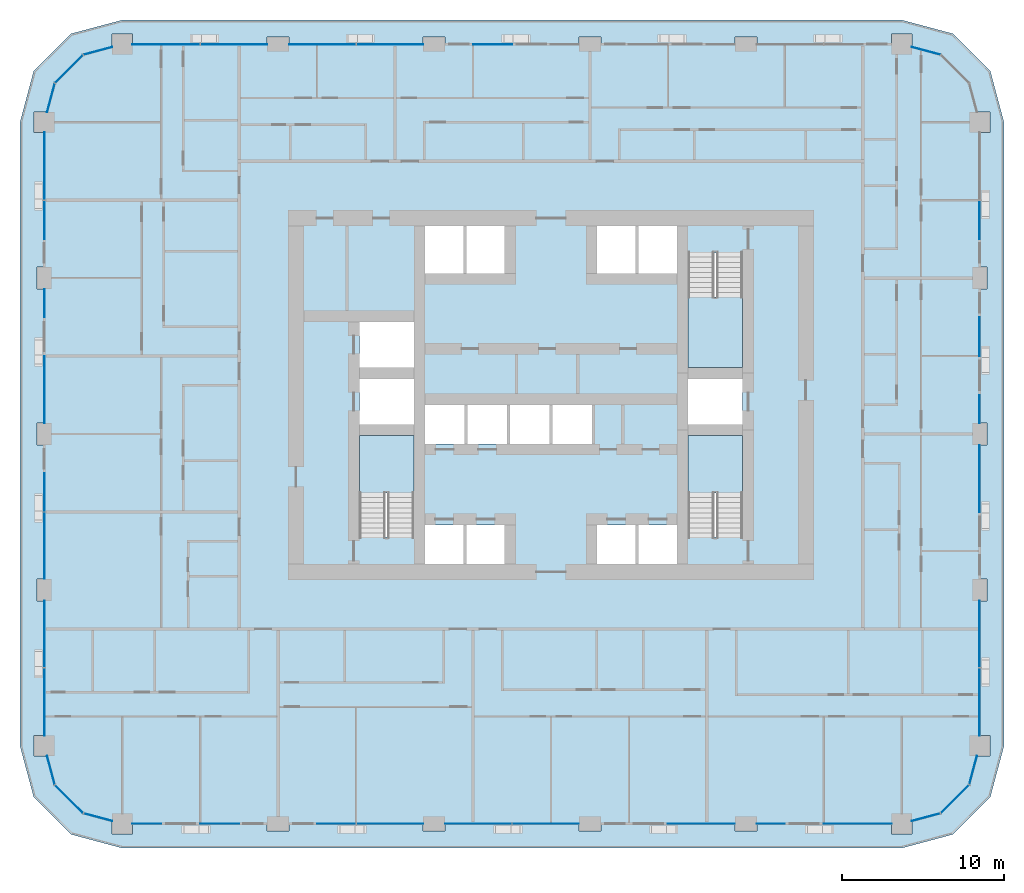
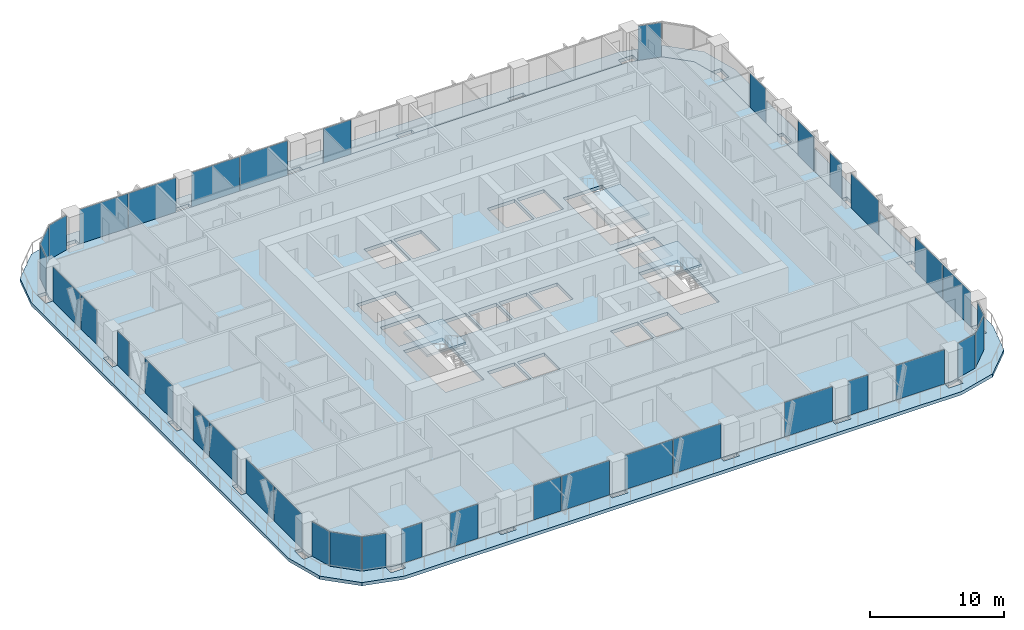
# One storey, part 7 of 21: 38 plates, 5 slabs, 23 elements without a shape of their own.
"""IFC4 building model written with IfcOpenShell, lengths in metres."""

from ifc_helpers import new_model, si_unit, direction, frame, origin, origin_2d, place, context, subcontext, project, spatial, polyline, rectangle, outline, extrude, material, layer, layer_set, type_object, element, aggregate, save


model = new_model("IFC4")

# Units and contexts
model_context = context("Model", 3, precision=1e-05, world=origin(), true_north=direction((0.0, 1.0)))
body_context = subcontext(model_context, "Body", "Model", "MODEL_VIEW")
ifc_project = project(units=[si_unit("LENGTHUNIT", "METRE"), si_unit("AREAUNIT", "SQUARE_METRE"), si_unit("VOLUMEUNIT", "CUBIC_METRE"), si_unit("PLANEANGLEUNIT", "RADIAN"), si_unit("MASSUNIT", "GRAM", prefix="KILO")], contexts=[model_context])

# Site, building, storey
site_placement = place(None, origin())
site = spatial("IfcSite", under=ifc_project, at=site_placement, CompositionType="ELEMENT")
building_placement = place(site_placement, origin())
building = spatial("IfcBuilding", under=site, at=building_placement, Name="Madar Terraces", CompositionType="ELEMENT")
storey_placement = place(building_placement, frame((0.0, 0.0, 43.39990234375)))
storey = spatial("IfcBuildingStorey", under=building, at=storey_placement, Name="L10", CompositionType="ELEMENT", Elevation=43.39990234375)

# Slabs
ifc_material_1 = material(Name="Concrete C50/60", Category="concrete")
ifc_layer_1 = layer(ifc_material_1, 0.300048828125)
ifc_layer_set_1 = layer_set([ifc_layer_1], Name="Balcony band 300")
slab_type_1 = type_object("IfcSlabType", Name="Balcony band 300", PredefinedType="FLOOR", material=ifc_layer_set_1)
slab_1_placement = place(storey_placement, frame((0.0, 0.0, -0.2998046875)))
element("IfcSlab", 1, at=slab_1_placement, inside=storey, type_object=slab_type_1, Name="Balcony band", PredefinedType="FLOOR", context=body_context, shape_type="SweptSolid", body=[
    extrude(outline(polyline([(4.800048828125, -1.5), (1.64990234375, -0.656005859375), (-0.656005859375, 1.64990234375), (-1.5, 4.800048828125), (-1.5, 43.199951171875), (-0.656005859375, 46.35009765625), (1.64990234375, 48.656005859375), (4.800048828125, 49.5), (52.800048828125, 49.5), (55.949951171875, 48.656005859375), (58.256103515625, 46.35009765625), (59.10009765625, 43.199951171875), (59.10009765625, 4.800048828125), (58.256103515625, 1.64990234375), (55.949951171875, -0.656005859375), (52.800048828125, -1.5), (4.800048828125, -1.5)]), holes=[polyline([(5.425048828125, -0.625), (5.425048828125, 0.0), (13.72509765625, 0.0), (13.72509765625, -0.449951171875), (15.074951171875, -0.449951171875), (15.074951171875, 0.0), (23.324951171875, 0.0), (23.324951171875, -0.449951171875), (24.675048828125, -0.449951171875), (24.675048828125, 0.0), (32.925048828125, 0.0), (32.925048828125, -0.449951171875), (34.27490234375, -0.449951171875), (34.27490234375, 0.0), (42.52490234375, 0.0), (42.52490234375, -0.449951171875), (43.875, -0.449951171875), (43.875, 0.0), (52.175048828125, 0.0), (52.175048828125, -0.625), (53.425048828125, -0.625), (53.425048828125, 0.16748046875), (55.199951171875, 0.64306640625), (56.956787109375, 2.39990234375), (57.4326171875, 4.175048828125), (58.22509765625, 4.175048828125), (58.22509765625, 5.425048828125), (57.60009765625, 5.425048828125), (57.60009765625, 13.72509765625), (58.050048828125, 13.72509765625), (58.050048828125, 15.074951171875), (57.60009765625, 15.074951171875), (57.60009765625, 23.324951171875), (58.050048828125, 23.324951171875), (58.050048828125, 24.675048828125), (57.60009765625, 24.675048828125), (57.60009765625, 32.925048828125), (58.050048828125, 32.925048828125), (58.050048828125, 34.27490234375), (57.60009765625, 34.27490234375), (57.60009765625, 42.574951171875), (58.22509765625, 42.574951171875), (58.22509765625, 43.824951171875), (57.4326171875, 43.824951171875), (56.956787109375, 45.60009765625), (55.199951171875, 47.35693359375), (53.425048828125, 47.83251953125), (53.425048828125, 48.625), (52.175048828125, 48.625), (52.175048828125, 48.0), (43.875, 48.0), (43.875, 48.449951171875), (42.52490234375, 48.449951171875), (42.52490234375, 48.0), (34.27490234375, 48.0), (34.27490234375, 48.449951171875), (32.925048828125, 48.449951171875), (32.925048828125, 48.0), (24.675048828125, 48.0), (24.675048828125, 48.449951171875), (23.324951171875, 48.449951171875), (23.324951171875, 48.0), (15.074951171875, 48.0), (15.074951171875, 48.449951171875), (13.72509765625, 48.449951171875), (13.72509765625, 48.0), (5.425048828125, 48.0), (5.425048828125, 48.625), (4.175048828125, 48.625), (4.175048828125, 47.83251953125), (2.39990234375, 47.35693359375), (0.64306640625, 45.60009765625), (0.16748046875, 43.824951171875), (-0.625, 43.824951171875), (-0.625, 42.574951171875), (0.0, 42.574951171875), (0.0, 34.27490234375), (-0.449951171875, 34.27490234375), (-0.449951171875, 32.925048828125), (0.0, 32.925048828125), (0.0, 24.675048828125), (-0.449951171875, 24.675048828125), (-0.449951171875, 23.324951171875), (0.0, 23.324951171875), (0.0, 15.074951171875), (-0.449951171875, 15.074951171875), (-0.449951171875, 13.72509765625), (0.0, 13.72509765625), (0.0, 5.425048828125), (-0.625, 5.425048828125), (-0.625, 4.175048828125), (0.16748046875, 4.175048828125), (0.64306640625, 2.39990234375), (2.39990234375, 0.64306640625), (4.175048828125, 0.16748046875), (4.175048828125, -0.625), (5.425048828125, -0.625)])]), origin(), (0.0, 0.0, 1.0), 0.2998046875),
])
ifc_material_2 = material(Name="Concrete C50/60", Category="concrete")
ifc_layer_2 = layer(ifc_material_2, 0.300048828125)
ifc_layer_set_2 = layer_set([ifc_layer_2], Name="FS2 PT flat slab 300")
slab_type_2 = type_object("IfcSlabType", Name="FS2 PT flat slab 300", PredefinedType="FLOOR", material=ifc_layer_set_2)
slab_2_placement = place(storey_placement, frame((0.0, 0.0, -0.2998046875)))
element("IfcSlab", 2, at=slab_2_placement, inside=storey, type_object=slab_type_2, Name="Floor slab L10 (1)", PredefinedType="FLOOR", context=body_context, shape_type="SweptSolid", body=[
    extrude(outline(polyline([(52.800048828125, 0.0), (55.199951171875, 0.64306640625), (56.95703125, 2.39990234375), (57.60009765625, 4.800048828125), (57.60009765625, 43.199951171875), (56.95703125, 45.60009765625), (55.199951171875, 47.35693359375), (52.800048828125, 48.0), (4.800048828125, 48.0), (2.39990234375, 47.35693359375), (0.64306640625, 45.60009765625), (0.0, 43.199951171875), (0.0, 4.800048828125), (0.64306640625, 2.39990234375), (2.39990234375, 0.64306640625), (4.800048828125, 0.0), (52.800048828125, 0.0)]), holes=[polyline([(23.449951171875, 16.0), (23.449951171875, 18.39990234375), (25.800048828125, 18.39990234375), (25.800048828125, 16.0), (23.449951171875, 16.0)]), polyline([(26.0, 16.0), (26.0, 18.39990234375), (28.35009765625, 18.39990234375), (28.35009765625, 16.0), (26.0, 16.0)]), polyline([(19.39990234375, 17.64990234375), (19.39990234375, 23.89990234375), (22.75, 23.89990234375), (22.75, 17.64990234375), (19.39990234375, 17.64990234375)]), polyline([(23.449951171875, 23.39990234375), (23.449951171875, 25.800048828125), (25.86669921875, 25.800048828125), (25.86669921875, 23.39990234375), (23.449951171875, 23.39990234375)]), polyline([(26.066650390625, 23.39990234375), (26.066650390625, 25.800048828125), (28.4833984375, 25.800048828125), (28.4833984375, 23.39990234375), (26.066650390625, 23.39990234375)]), polyline([(19.39990234375, 24.60009765625), (19.39990234375, 27.39990234375), (22.75, 27.39990234375), (22.75, 24.60009765625), (19.39990234375, 24.60009765625)]), polyline([(19.39990234375, 28.10009765625), (19.39990234375, 30.89990234375), (22.75, 30.89990234375), (22.75, 28.10009765625), (19.39990234375, 28.10009765625)]), polyline([(23.449951171875, 36.800048828125), (25.800048828125, 36.800048828125), (25.800048828125, 33.89990234375), (23.449951171875, 33.89990234375), (23.449951171875, 36.800048828125)]), polyline([(26.0, 36.800048828125), (28.35009765625, 36.800048828125), (28.35009765625, 33.89990234375), (26.0, 33.89990234375), (26.0, 36.800048828125)]), polyline([(34.050048828125, 16.0), (34.050048828125, 18.39990234375), (36.39990234375, 18.39990234375), (36.39990234375, 16.0), (34.050048828125, 16.0)]), polyline([(36.60009765625, 16.0), (36.60009765625, 18.39990234375), (38.949951171875, 18.39990234375), (38.949951171875, 16.0), (36.60009765625, 16.0)]), polyline([(39.64990234375, 17.64990234375), (39.64990234375, 23.89990234375), (43.0, 23.89990234375), (43.0, 17.64990234375), (39.64990234375, 17.64990234375)]), polyline([(28.683349609375, 23.39990234375), (28.683349609375, 25.800048828125), (31.10009765625, 25.800048828125), (31.10009765625, 23.39990234375), (28.683349609375, 23.39990234375)]), polyline([(31.300048828125, 23.39990234375), (31.300048828125, 25.800048828125), (33.716552734375, 25.800048828125), (33.716552734375, 23.39990234375), (31.300048828125, 23.39990234375)]), polyline([(39.64990234375, 24.60009765625), (39.64990234375, 27.39990234375), (43.0, 27.39990234375), (43.0, 24.60009765625), (39.64990234375, 24.60009765625)]), polyline([(39.64990234375, 28.10009765625), (39.64990234375, 35.14990234375), (43.0, 35.14990234375), (43.0, 28.10009765625), (39.64990234375, 28.10009765625)]), polyline([(34.050048828125, 36.800048828125), (36.39990234375, 36.800048828125), (36.39990234375, 33.89990234375), (34.050048828125, 33.89990234375), (34.050048828125, 36.800048828125)]), polyline([(36.60009765625, 36.800048828125), (38.949951171875, 36.800048828125), (38.949951171875, 33.89990234375), (36.60009765625, 33.89990234375), (36.60009765625, 36.800048828125)])]), origin(), (0.0, 0.0, 1.0), 0.2998046875),
])

# Curtain wall, plates
ifc_material_3 = material(Name="Glass, ceramic frit dark grey, with black aluminium frame", Category="aluminium")
ifc_layer_3 = layer(ifc_material_3, 0.199951171875)
ifc_layer_set_3 = layer_set([ifc_layer_3], Name="Facade curtain wall, fritted glass")
curtain_wall_type = type_object("IfcCurtainWallType", Name="Facade curtain wall, fritted glass", PredefinedType="NOTDEFINED", material=ifc_layer_set_3)
curtain_wall_1_placement = place(storey_placement, origin())
curtain_wall_1 = element("IfcCurtainWall", 3, at=curtain_wall_1_placement, inside=storey, type_object=curtain_wall_type, Name="Outer skin curtain wall south bay 1", PredefinedType="NOTDEFINED")
ifc_material_4 = material(Name="Glass, ceramic frit dark grey", Category="glass")
ifc_layer_4 = layer(ifc_material_4, 0.028076171875)
ifc_layer_set_4 = layer_set([ifc_layer_4], Name="Facade glass panel 28")
plate_type = type_object("IfcPlateType", Name="Facade glass panel 28", PredefinedType="CURTAIN_PANEL", material=ifc_layer_set_4)
plate_1_placement = place(storey_placement, frame((6.3125, 0.0, 0.0), z_axis=(0.0, 0.0, 1.0), x_axis=(1.0, 0.0, 0.0)))
plate_1 = element("IfcPlate", 4, at=plate_1_placement, type_object=plate_type, Name="Panel 1", PredefinedType="CURTAIN_PANEL", context=body_context, shape_type="SweptSolid", body=[
    extrude(rectangle(XDim=1.77490234375, YDim=0.028076171875, at=origin_2d()), origin(), (0.0, 0.0, 1.0), 3.139892578125),
])
plate_2_placement = place(storey_placement, frame((10.800048828125, 0.0, 0.0), z_axis=(0.0, 0.0, 1.0), x_axis=(1.0, 0.0, 0.0)))
plate_2 = element("IfcPlate", 5, at=plate_2_placement, type_object=plate_type, Name="Panel 2", PredefinedType="CURTAIN_PANEL", context=body_context, shape_type="SweptSolid", body=[
    extrude(rectangle(XDim=2.39990234375, YDim=0.028076171875, at=origin_2d()), origin(), (0.0, 0.0, 1.0), 3.139892578125),
])
aggregate(curtain_wall_1, [plate_1, plate_2])

curtain_wall_2_placement = place(storey_placement, origin())
curtain_wall_2 = element("IfcCurtainWall", 6, at=curtain_wall_2_placement, inside=storey, type_object=curtain_wall_type, Name="Outer skin curtain wall south bay 2", PredefinedType="NOTDEFINED")
plate_3_placement = place(storey_placement, frame((17.985107421875, 0.0, 0.0), z_axis=(0.0, 0.0, 1.0), x_axis=(1.0, 0.0, 0.0)))
plate_3 = element("IfcPlate", 7, at=plate_3_placement, type_object=plate_type, Name="Panel 1", PredefinedType="CURTAIN_PANEL", context=body_context, shape_type="SweptSolid", body=[
    extrude(rectangle(XDim=2.3701171875, YDim=0.028076171875, at=origin_2d()), origin(), (0.0, 0.0, 1.0), 3.139892578125),
])
plate_4_placement = place(storey_placement, frame((21.277587890625, 0.0, 0.0), z_axis=(0.0, 0.0, 1.0), x_axis=(1.0, 0.0, 0.0)))
plate_4 = element("IfcPlate", 8, at=plate_4_placement, type_object=plate_type, Name="Panel 2", PredefinedType="CURTAIN_PANEL", context=body_context, shape_type="SweptSolid", body=[
    extrude(rectangle(XDim=4.094970703125, YDim=0.028076171875, at=origin_2d()), origin(), (0.0, 0.0, 1.0), 3.139892578125),
])
aggregate(curtain_wall_2, [plate_3, plate_4])

curtain_wall_3_placement = place(storey_placement, origin())
curtain_wall_3 = element("IfcCurtainWall", 9, at=curtain_wall_3_placement, inside=storey, type_object=curtain_wall_type, Name="Outer skin curtain wall south bay 3", PredefinedType="NOTDEFINED")
plate_5_placement = place(storey_placement, frame((26.722412109375, 0.0, 0.0), z_axis=(0.0, 0.0, 1.0), x_axis=(1.0, 0.0, 0.0)))
plate_5 = element("IfcPlate", 10, at=plate_5_placement, type_object=plate_type, Name="Panel 1", PredefinedType="CURTAIN_PANEL", context=body_context, shape_type="SweptSolid", body=[
    extrude(rectangle(XDim=4.094970703125, YDim=0.028076171875, at=origin_2d()), origin(), (0.0, 0.0, 1.0), 3.139892578125),
])
plate_6_placement = place(storey_placement, frame((30.87744140625, 0.0, 0.0), z_axis=(0.0, 0.0, 1.0), x_axis=(1.0, 0.0, 0.0)))
plate_6 = element("IfcPlate", 11, at=plate_6_placement, type_object=plate_type, Name="Panel 2", PredefinedType="CURTAIN_PANEL", context=body_context, shape_type="SweptSolid", body=[
    extrude(rectangle(XDim=4.094970703125, YDim=0.028076171875, at=origin_2d()), origin(), (0.0, 0.0, 1.0), 3.139892578125),
])
aggregate(curtain_wall_3, [plate_5, plate_6])

# Curtain wall, plate
curtain_wall_4_placement = place(storey_placement, origin())
curtain_wall_4 = element("IfcCurtainWall", 12, at=curtain_wall_4_placement, inside=storey, type_object=curtain_wall_type, Name="Outer skin curtain wall south bay 4", PredefinedType="NOTDEFINED")
plate_7_placement = place(storey_placement, frame((40.46240234375, 0.0, 0.0), z_axis=(0.0, 0.0, 1.0), x_axis=(1.0, 0.0, 0.0)))
plate_7 = element("IfcPlate", 13, at=plate_7_placement, type_object=plate_type, Name="Panel 1", PredefinedType="CURTAIN_PANEL", context=body_context, shape_type="SweptSolid", body=[
    extrude(rectangle(XDim=4.125, YDim=0.028076171875, at=origin_2d()), origin(), (0.0, 0.0, 1.0), 3.139892578125),
])
aggregate(curtain_wall_4, [plate_7])

# Curtain wall, plates
curtain_wall_5_placement = place(storey_placement, origin())
curtain_wall_5 = element("IfcCurtainWall", 14, at=curtain_wall_5_placement, inside=storey, type_object=curtain_wall_type, Name="Outer skin curtain wall south bay 5", PredefinedType="NOTDEFINED")
plate_8_placement = place(storey_placement, frame((44.737548828125, 0.0, 0.0), z_axis=(0.0, 0.0, 1.0), x_axis=(1.0, 0.0, 0.0)))
plate_8 = element("IfcPlate", 15, at=plate_8_placement, type_object=plate_type, Name="Panel 1", PredefinedType="CURTAIN_PANEL", context=body_context, shape_type="SweptSolid", body=[
    extrude(rectangle(XDim=1.72509765625, YDim=0.028076171875, at=origin_2d()), origin(), (0.0, 0.0, 1.0), 3.139892578125),
])
plate_9_placement = place(storey_placement, frame((50.08740234375, 0.0, 0.0), z_axis=(0.0, 0.0, 1.0), x_axis=(1.0, 0.0, 0.0)))
plate_9 = element("IfcPlate", 16, at=plate_9_placement, type_object=plate_type, Name="Panel 2", PredefinedType="CURTAIN_PANEL", context=body_context, shape_type="SweptSolid", body=[
    extrude(rectangle(XDim=4.175048828125, YDim=0.028076171875, at=origin_2d()), origin(), (0.0, 0.0, 1.0), 3.139892578125),
])
aggregate(curtain_wall_5, [plate_8, plate_9])

curtain_wall_6_placement = place(storey_placement, origin())
curtain_wall_6 = element("IfcCurtainWall", 17, at=curtain_wall_6_placement, inside=storey, type_object=curtain_wall_type, Name="Outer skin curtain wall east bay 1", PredefinedType="NOTDEFINED")
plate_10_placement = place(storey_placement, frame((57.60009765625, 7.49755859375, 0.0), z_axis=(0.0, 0.0, 1.0), x_axis=(0.0, 1.0, 0.0)))
plate_10 = element("IfcPlate", 18, at=plate_10_placement, type_object=plate_type, Name="Panel 1", PredefinedType="CURTAIN_PANEL", context=body_context, shape_type="SweptSolid", body=[
    extrude(rectangle(XDim=4.14501953125, YDim=0.028076171875, at=origin_2d()), origin(), (0.0, 0.0, 1.0), 3.139892578125),
])
plate_11_placement = place(storey_placement, frame((57.60009765625, 11.677490234375, 0.0), z_axis=(0.0, 0.0, 1.0), x_axis=(0.0, 1.0, 0.0)))
plate_11 = element("IfcPlate", 19, at=plate_11_placement, type_object=plate_type, Name="Panel 2", PredefinedType="CURTAIN_PANEL", context=body_context, shape_type="SweptSolid", body=[
    extrude(rectangle(XDim=4.094970703125, YDim=0.028076171875, at=origin_2d()), origin(), (0.0, 0.0, 1.0), 3.139892578125),
])
aggregate(curtain_wall_6, [plate_10, plate_11])

# Curtain wall, plate
curtain_wall_7_placement = place(storey_placement, origin())
curtain_wall_7 = element("IfcCurtainWall", 20, at=curtain_wall_7_placement, inside=storey, type_object=curtain_wall_type, Name="Outer skin curtain wall east bay 2", PredefinedType="NOTDEFINED")
plate_12_placement = place(storey_placement, frame((57.60009765625, 21.262451171875, 0.0), z_axis=(0.0, 0.0, 1.0), x_axis=(0.0, 1.0, 0.0)))
plate_12 = element("IfcPlate", 21, at=plate_12_placement, type_object=plate_type, Name="Panel 1", PredefinedType="CURTAIN_PANEL", context=body_context, shape_type="SweptSolid", body=[
    extrude(rectangle(XDim=4.125, YDim=0.028076171875, at=origin_2d()), origin(), (0.0, 0.0, 1.0), 3.139892578125),
])
aggregate(curtain_wall_7, [plate_12])

# Curtain wall, plates
curtain_wall_8_placement = place(storey_placement, origin())
curtain_wall_8 = element("IfcCurtainWall", 22, at=curtain_wall_8_placement, inside=storey, type_object=curtain_wall_type, Name="Outer skin curtain wall east bay 3", PredefinedType="NOTDEFINED")
plate_13_placement = place(storey_placement, frame((57.60009765625, 25.53759765625, 0.0), z_axis=(0.0, 0.0, 1.0), x_axis=(0.0, 1.0, 0.0)))
plate_13 = element("IfcPlate", 23, at=plate_13_placement, type_object=plate_type, Name="Panel 1", PredefinedType="CURTAIN_PANEL", context=body_context, shape_type="SweptSolid", body=[
    extrude(rectangle(XDim=1.72509765625, YDim=0.028076171875, at=origin_2d()), origin(), (0.0, 0.0, 1.0), 3.139892578125),
])
plate_14_placement = place(storey_placement, frame((57.60009765625, 30.0, 0.0), z_axis=(0.0, 0.0, 1.0), x_axis=(0.0, 1.0, 0.0)))
plate_14 = element("IfcPlate", 24, at=plate_14_placement, type_object=plate_type, Name="Panel 2", PredefinedType="CURTAIN_PANEL", context=body_context, shape_type="SweptSolid", body=[
    extrude(rectangle(XDim=2.39990234375, YDim=0.028076171875, at=origin_2d()), origin(), (0.0, 0.0, 1.0), 3.139892578125),
])
aggregate(curtain_wall_8, [plate_13, plate_14])

# Curtain wall, plate
curtain_wall_9_placement = place(storey_placement, origin())
curtain_wall_9 = element("IfcCurtainWall", 25, at=curtain_wall_9_placement, inside=storey, type_object=curtain_wall_type, Name="Outer skin curtain wall east bay 4", PredefinedType="NOTDEFINED")
plate_15_placement = place(storey_placement, frame((57.60009765625, 37.18505859375, 0.0), z_axis=(0.0, 0.0, 1.0), x_axis=(0.0, 1.0, 0.0)))
plate_15 = element("IfcPlate", 26, at=plate_15_placement, type_object=plate_type, Name="Panel 1", PredefinedType="CURTAIN_PANEL", context=body_context, shape_type="SweptSolid", body=[
    extrude(rectangle(XDim=2.3701171875, YDim=0.028076171875, at=origin_2d()), origin(), (0.0, 0.0, 1.0), 3.139892578125),
])
aggregate(curtain_wall_9, [plate_15])

curtain_wall_10_placement = place(storey_placement, origin())
curtain_wall_10 = element("IfcCurtainWall", 27, at=curtain_wall_10_placement, inside=storey, type_object=curtain_wall_type, Name="Outer skin curtain wall north bay 3", PredefinedType="NOTDEFINED")
plate_16_placement = place(storey_placement, frame((27.60009765625, 48.0, 0.0), z_axis=(0.0, 0.0, 1.0), x_axis=(-1.0, 0.0, 0.0)))
plate_16 = element("IfcPlate", 28, at=plate_16_placement, type_object=plate_type, Name="Panel 2", PredefinedType="CURTAIN_PANEL", context=body_context, shape_type="SweptSolid", body=[
    extrude(rectangle(XDim=2.39990234375, YDim=0.028076171875, at=origin_2d()), origin(), (0.0, 0.0, 1.0), 3.139892578125),
])
aggregate(curtain_wall_10, [plate_16])

# Curtain wall, plates
curtain_wall_11_placement = place(storey_placement, origin())
curtain_wall_11 = element("IfcCurtainWall", 29, at=curtain_wall_11_placement, inside=storey, type_object=curtain_wall_type, Name="Outer skin curtain wall north bay 4", PredefinedType="NOTDEFINED")
plate_17_placement = place(storey_placement, frame((21.277587890625, 48.0, 0.0), z_axis=(0.0, 0.0, 1.0), x_axis=(-1.0, 0.0, 0.0)))
plate_17 = element("IfcPlate", 30, at=plate_17_placement, type_object=plate_type, Name="Panel 1", PredefinedType="CURTAIN_PANEL", context=body_context, shape_type="SweptSolid", body=[
    extrude(rectangle(XDim=4.094970703125, YDim=0.028076171875, at=origin_2d()), origin(), (0.0, 0.0, 1.0), 3.139892578125),
])
plate_18_placement = place(storey_placement, frame((17.12255859375, 48.0, 0.0), z_axis=(0.0, 0.0, 1.0), x_axis=(-1.0, 0.0, 0.0)))
plate_18 = element("IfcPlate", 31, at=plate_18_placement, type_object=plate_type, Name="Panel 2", PredefinedType="CURTAIN_PANEL", context=body_context, shape_type="SweptSolid", body=[
    extrude(rectangle(XDim=4.094970703125, YDim=0.028076171875, at=origin_2d()), origin(), (0.0, 0.0, 1.0), 3.139892578125),
])
aggregate(curtain_wall_11, [plate_17, plate_18])

curtain_wall_12_placement = place(storey_placement, origin())
curtain_wall_12 = element("IfcCurtainWall", 32, at=curtain_wall_12_placement, inside=storey, type_object=curtain_wall_type, Name="Outer skin curtain wall north bay 5", PredefinedType="NOTDEFINED")
plate_19_placement = place(storey_placement, frame((11.677490234375, 48.0, 0.0), z_axis=(0.0, 0.0, 1.0), x_axis=(-1.0, 0.0, 0.0)))
plate_19 = element("IfcPlate", 33, at=plate_19_placement, type_object=plate_type, Name="Panel 1", PredefinedType="CURTAIN_PANEL", context=body_context, shape_type="SweptSolid", body=[
    extrude(rectangle(XDim=4.094970703125, YDim=0.028076171875, at=origin_2d()), origin(), (0.0, 0.0, 1.0), 3.139892578125),
])
plate_20_placement = place(storey_placement, frame((7.49755859375, 48.0, 0.0), z_axis=(0.0, 0.0, 1.0), x_axis=(-1.0, 0.0, 0.0)))
plate_20 = element("IfcPlate", 34, at=plate_20_placement, type_object=plate_type, Name="Panel 2", PredefinedType="CURTAIN_PANEL", context=body_context, shape_type="SweptSolid", body=[
    extrude(rectangle(XDim=4.14501953125, YDim=0.028076171875, at=origin_2d()), origin(), (0.0, 0.0, 1.0), 3.139892578125),
])
aggregate(curtain_wall_12, [plate_19, plate_20])

curtain_wall_13_placement = place(storey_placement, origin())
curtain_wall_13 = element("IfcCurtainWall", 35, at=curtain_wall_13_placement, inside=storey, type_object=curtain_wall_type, Name="Outer skin curtain wall west bay 1", PredefinedType="NOTDEFINED")
plate_21_placement = place(storey_placement, frame((0.0, 40.50244140625, 0.0), z_axis=(0.0, 0.0, 1.0), x_axis=(0.0, -1.0, 0.0)))
plate_21 = element("IfcPlate", 36, at=plate_21_placement, type_object=plate_type, Name="Panel 1", PredefinedType="CURTAIN_PANEL", context=body_context, shape_type="SweptSolid", body=[
    extrude(rectangle(XDim=4.14501953125, YDim=0.028076171875, at=origin_2d()), origin(), (0.0, 0.0, 1.0), 3.139892578125),
])
plate_22_placement = place(storey_placement, frame((0.0, 37.18505859375, 0.0), z_axis=(0.0, 0.0, 1.0), x_axis=(0.0, -1.0, 0.0)))
plate_22 = element("IfcPlate", 37, at=plate_22_placement, type_object=plate_type, Name="Panel 2", PredefinedType="CURTAIN_PANEL", context=body_context, shape_type="SweptSolid", body=[
    extrude(rectangle(XDim=2.3701171875, YDim=0.028076171875, at=origin_2d()), origin(), (0.0, 0.0, 1.0), 3.139892578125),
])
aggregate(curtain_wall_13, [plate_21, plate_22])

curtain_wall_14_placement = place(storey_placement, origin())
curtain_wall_14 = element("IfcCurtainWall", 38, at=curtain_wall_14_placement, inside=storey, type_object=curtain_wall_type, Name="Outer skin curtain wall west bay 2", PredefinedType="NOTDEFINED")
plate_23_placement = place(storey_placement, frame((0.0, 32.0625, 0.0), z_axis=(0.0, 0.0, 1.0), x_axis=(0.0, -1.0, 0.0)))
plate_23 = element("IfcPlate", 39, at=plate_23_placement, type_object=plate_type, Name="Panel 1", PredefinedType="CURTAIN_PANEL", context=body_context, shape_type="SweptSolid", body=[
    extrude(rectangle(XDim=1.72509765625, YDim=0.028076171875, at=origin_2d()), origin(), (0.0, 0.0, 1.0), 3.139892578125),
])
plate_24_placement = place(storey_placement, frame((0.0, 26.737548828125, 0.0), z_axis=(0.0, 0.0, 1.0), x_axis=(0.0, -1.0, 0.0)))
plate_24 = element("IfcPlate", 40, at=plate_24_placement, type_object=plate_type, Name="Panel 2", PredefinedType="CURTAIN_PANEL", context=body_context, shape_type="SweptSolid", body=[
    extrude(rectangle(XDim=4.125, YDim=0.028076171875, at=origin_2d()), origin(), (0.0, 0.0, 1.0), 3.139892578125),
])
aggregate(curtain_wall_14, [plate_23, plate_24])

curtain_wall_15_placement = place(storey_placement, origin())
curtain_wall_15 = element("IfcCurtainWall", 41, at=curtain_wall_15_placement, inside=storey, type_object=curtain_wall_type, Name="Outer skin curtain wall west bay 3", PredefinedType="NOTDEFINED")
plate_25_placement = place(storey_placement, frame((0.0, 20.4150390625, 0.0), z_axis=(0.0, 0.0, 1.0), x_axis=(0.0, -1.0, 0.0)))
plate_25 = element("IfcPlate", 42, at=plate_25_placement, type_object=plate_type, Name="Panel 1", PredefinedType="CURTAIN_PANEL", context=body_context, shape_type="SweptSolid", body=[
    extrude(rectangle(XDim=2.3701171875, YDim=0.028076171875, at=origin_2d()), origin(), (0.0, 0.0, 1.0), 3.139892578125),
])
plate_26_placement = place(storey_placement, frame((0.0, 17.12255859375, 0.0), z_axis=(0.0, 0.0, 1.0), x_axis=(0.0, -1.0, 0.0)))
plate_26 = element("IfcPlate", 43, at=plate_26_placement, type_object=plate_type, Name="Panel 2", PredefinedType="CURTAIN_PANEL", context=body_context, shape_type="SweptSolid", body=[
    extrude(rectangle(XDim=4.094970703125, YDim=0.028076171875, at=origin_2d()), origin(), (0.0, 0.0, 1.0), 3.139892578125),
])
aggregate(curtain_wall_15, [plate_25, plate_26])

curtain_wall_16_placement = place(storey_placement, origin())
curtain_wall_16 = element("IfcCurtainWall", 44, at=curtain_wall_16_placement, inside=storey, type_object=curtain_wall_type, Name="Outer skin curtain wall west bay 4", PredefinedType="NOTDEFINED")
plate_27_placement = place(storey_placement, frame((0.0, 11.677490234375, 0.0), z_axis=(0.0, 0.0, 1.0), x_axis=(0.0, -1.0, 0.0)))
plate_27 = element("IfcPlate", 45, at=plate_27_placement, type_object=plate_type, Name="Panel 1", PredefinedType="CURTAIN_PANEL", context=body_context, shape_type="SweptSolid", body=[
    extrude(rectangle(XDim=4.094970703125, YDim=0.028076171875, at=origin_2d()), origin(), (0.0, 0.0, 1.0), 3.139892578125),
])
plate_28_placement = place(storey_placement, frame((0.0, 7.49755859375, 0.0), z_axis=(0.0, 0.0, 1.0), x_axis=(0.0, -1.0, 0.0)))
plate_28 = element("IfcPlate", 46, at=plate_28_placement, type_object=plate_type, Name="Panel 2", PredefinedType="CURTAIN_PANEL", context=body_context, shape_type="SweptSolid", body=[
    extrude(rectangle(XDim=4.14501953125, YDim=0.028076171875, at=origin_2d()), origin(), (0.0, 0.0, 1.0), 3.139892578125),
])
aggregate(curtain_wall_16, [plate_27, plate_28])

curtain_wall_17_placement = place(storey_placement, origin())
curtain_wall_17 = element("IfcCurtainWall", 47, at=curtain_wall_17_placement, inside=storey, type_object=curtain_wall_type, Name="Outer skin curtain wall south-east corner", PredefinedType="NOTDEFINED")
plate_29_placement = place(storey_placement, frame((54.298095703125, 0.4013671875, 0.0), z_axis=(0.0, 0.0, 1.0), x_axis=(0.965925832509, 0.258819021888, 0.0)))
plate_29 = element("IfcPlate", 48, at=plate_29_placement, type_object=plate_type, Name="Panel 1", PredefinedType="CURTAIN_PANEL", context=body_context, shape_type="SweptSolid", body=[
    extrude(rectangle(XDim=1.8076171875, YDim=0.028076171875, at=origin_2d()), origin(), (0.0, 0.0, 1.0), 3.139892578125),
])
plate_30_placement = place(storey_placement, frame((56.078369140625, 1.521484375, 0.0), z_axis=(0.0, 0.0, 1.0), x_axis=(0.707106781187, 0.707106781187, 0.0)))
plate_30 = element("IfcPlate", 49, at=plate_30_placement, type_object=plate_type, Name="Panel 2", PredefinedType="CURTAIN_PANEL", context=body_context, shape_type="SweptSolid", body=[
    extrude(rectangle(XDim=2.424560546875, YDim=0.028076171875, at=origin_2d()), origin(), (0.0, 0.0, 1.0), 3.139892578125),
])
plate_31_placement = place(storey_placement, frame((57.19873046875, 3.302001953125, 0.0), z_axis=(0.0, 0.0, 1.0), x_axis=(0.258819021888, 0.965925832509, 0.0)))
plate_31 = element("IfcPlate", 50, at=plate_31_placement, type_object=plate_type, Name="Panel 3", PredefinedType="CURTAIN_PANEL", context=body_context, shape_type="SweptSolid", body=[
    extrude(rectangle(XDim=1.8076171875, YDim=0.028076171875, at=origin_2d()), origin(), (0.0, 0.0, 1.0), 3.139892578125),
])
aggregate(curtain_wall_17, [plate_29, plate_30, plate_31])

# Curtain wall, plate
curtain_wall_18_placement = place(storey_placement, origin())
curtain_wall_18 = element("IfcCurtainWall", 51, at=curtain_wall_18_placement, inside=storey, type_object=curtain_wall_type, Name="Outer skin curtain wall north-east corner", PredefinedType="NOTDEFINED")
plate_32_placement = place(storey_placement, frame((54.298095703125, 47.5986328125, 0.0), z_axis=(0.0, 0.0, 1.0), x_axis=(-0.965925832509, 0.258819021888, 0.0)))
plate_32 = element("IfcPlate", 52, at=plate_32_placement, type_object=plate_type, Name="Panel 3", PredefinedType="CURTAIN_PANEL", context=body_context, shape_type="SweptSolid", body=[
    extrude(rectangle(XDim=1.8076171875, YDim=0.028076171875, at=origin_2d()), origin(), (0.0, 0.0, 1.0), 3.139892578125),
])
aggregate(curtain_wall_18, [plate_32])

# Curtain wall, plates
curtain_wall_19_placement = place(storey_placement, origin())
curtain_wall_19 = element("IfcCurtainWall", 53, at=curtain_wall_19_placement, inside=storey, type_object=curtain_wall_type, Name="Outer skin curtain wall north-west corner", PredefinedType="NOTDEFINED")
plate_33_placement = place(storey_placement, frame((3.302001953125, 47.5986328125, 0.0), z_axis=(0.0, 0.0, 1.0), x_axis=(-0.965925832509, -0.258819021888, 0.0)))
plate_33 = element("IfcPlate", 54, at=plate_33_placement, type_object=plate_type, Name="Panel 1", PredefinedType="CURTAIN_PANEL", context=body_context, shape_type="SweptSolid", body=[
    extrude(rectangle(XDim=1.8076171875, YDim=0.028076171875, at=origin_2d()), origin(), (0.0, 0.0, 1.0), 3.139892578125),
])
plate_34_placement = place(storey_placement, frame((1.521484375, 46.478515625, 0.0), z_axis=(0.0, 0.0, 1.0), x_axis=(-0.707106781187, -0.707106781187, 0.0)))
plate_34 = element("IfcPlate", 55, at=plate_34_placement, type_object=plate_type, Name="Panel 2", PredefinedType="CURTAIN_PANEL", context=body_context, shape_type="SweptSolid", body=[
    extrude(rectangle(XDim=2.424560546875, YDim=0.028076171875, at=origin_2d()), origin(), (0.0, 0.0, 1.0), 3.139892578125),
])
plate_35_placement = place(storey_placement, frame((0.4013671875, 44.697998046875, 0.0), z_axis=(0.0, 0.0, 1.0), x_axis=(-0.258819021888, -0.965925832509, 0.0)))
plate_35 = element("IfcPlate", 56, at=plate_35_placement, type_object=plate_type, Name="Panel 3", PredefinedType="CURTAIN_PANEL", context=body_context, shape_type="SweptSolid", body=[
    extrude(rectangle(XDim=1.8076171875, YDim=0.028076171875, at=origin_2d()), origin(), (0.0, 0.0, 1.0), 3.139892578125),
])
aggregate(curtain_wall_19, [plate_33, plate_34, plate_35])

curtain_wall_20_placement = place(storey_placement, origin())
curtain_wall_20 = element("IfcCurtainWall", 57, at=curtain_wall_20_placement, inside=storey, type_object=curtain_wall_type, Name="Outer skin curtain wall south-west corner", PredefinedType="NOTDEFINED")
plate_36_placement = place(storey_placement, frame((0.4013671875, 3.302001953125, 0.0), z_axis=(0.0, 0.0, 1.0), x_axis=(0.258819021888, -0.965925832509, 0.0)))
plate_36 = element("IfcPlate", 58, at=plate_36_placement, type_object=plate_type, Name="Panel 1", PredefinedType="CURTAIN_PANEL", context=body_context, shape_type="SweptSolid", body=[
    extrude(rectangle(XDim=1.8076171875, YDim=0.028076171875, at=origin_2d()), origin(), (0.0, 0.0, 1.0), 3.139892578125),
])
plate_37_placement = place(storey_placement, frame((1.521484375, 1.521484375, 0.0), z_axis=(0.0, 0.0, 1.0), x_axis=(0.707106781187, -0.707106781187, 0.0)))
plate_37 = element("IfcPlate", 59, at=plate_37_placement, type_object=plate_type, Name="Panel 2", PredefinedType="CURTAIN_PANEL", context=body_context, shape_type="SweptSolid", body=[
    extrude(rectangle(XDim=2.424560546875, YDim=0.028076171875, at=origin_2d()), origin(), (0.0, 0.0, 1.0), 3.139892578125),
])
plate_38_placement = place(storey_placement, frame((3.302001953125, 0.4013671875, 0.0), z_axis=(0.0, 0.0, 1.0), x_axis=(0.965925832509, -0.258819021888, 0.0)))
plate_38 = element("IfcPlate", 60, at=plate_38_placement, type_object=plate_type, Name="Panel 3", PredefinedType="CURTAIN_PANEL", context=body_context, shape_type="SweptSolid", body=[
    extrude(rectangle(XDim=1.8076171875, YDim=0.028076171875, at=origin_2d()), origin(), (0.0, 0.0, 1.0), 3.139892578125),
])
aggregate(curtain_wall_20, [plate_36, plate_37, plate_38])

# Stair, slab
ifc_material_5 = material(Name="Concrete C50/60", Category="concrete")
stair_type_1 = type_object("IfcStairType", Name="Stair ST1 protected exit", PredefinedType="HALF_TURN_STAIR", material=ifc_material_5)
stair_1_placement = place(storey_placement, origin())
stair_1 = element("IfcStair", 61, at=stair_1_placement, inside=storey, type_object=stair_type_1, Name="L10 Protected Exit Stair ST1", PredefinedType="HALF_TURN_STAIR")
ifc_material_6 = material(Name="Concrete C50/60", Category="concrete")
ifc_layer_5 = layer(ifc_material_6, 0.199951171875)
ifc_layer_set_5 = layer_set([ifc_layer_5], Name="Stair landing 200, top +1.75")
slab_type_3 = type_object("IfcSlabType", Name="Stair landing 200, top +1.75", PredefinedType="LANDING", material=ifc_layer_set_5)
slab_3_placement = place(storey_placement, frame((0.0, 0.0, 1.550048828125)))
slab_3 = element("IfcSlab", 62, at=slab_3_placement, type_object=slab_type_3, Name="ST1 landing 1", PredefinedType="LANDING", context=body_context, shape_type="SweptSolid", body=[
    extrude(outline(polyline([(19.39990234375, 20.360107421875), (22.75, 20.360107421875), (22.75, 23.89990234375), (19.39990234375, 23.89990234375), (19.39990234375, 20.360107421875)])), origin(), (0.0, 0.0, 1.0), 0.199951171875),
])
aggregate(stair_1, [slab_3])

ifc_material_7 = material(Name="Concrete C50/60", Category="concrete")
stair_type_2 = type_object("IfcStairType", Name="Stair ST2 protected exit", PredefinedType="HALF_TURN_STAIR", material=ifc_material_7)
stair_2_placement = place(storey_placement, origin())
stair_2 = element("IfcStair", 63, at=stair_2_placement, inside=storey, type_object=stair_type_2, Name="L10 Protected Exit Stair ST2", PredefinedType="HALF_TURN_STAIR")
slab_4_placement = place(storey_placement, frame((0.0, 0.0, 1.550048828125)))
slab_4 = element("IfcSlab", 64, at=slab_4_placement, type_object=slab_type_3, Name="ST2 landing 1", PredefinedType="LANDING", context=body_context, shape_type="SweptSolid", body=[
    extrude(outline(polyline([(39.64990234375, 28.10009765625), (43.0, 28.10009765625), (43.0, 32.43994140625), (39.64990234375, 32.43994140625), (39.64990234375, 28.10009765625)])), origin(), (0.0, 0.0, 1.0), 0.199951171875),
])
aggregate(stair_2, [slab_4])

ifc_material_8 = material(Name="Concrete C50/60", Category="concrete")
stair_type_3 = type_object("IfcStairType", Name="Stair ST3 protected exit", PredefinedType="HALF_TURN_STAIR", material=ifc_material_8)
stair_3_placement = place(storey_placement, origin())
stair_3 = element("IfcStair", 65, at=stair_3_placement, inside=storey, type_object=stair_type_3, Name="L10 Protected Exit Stair ST3", PredefinedType="HALF_TURN_STAIR")
slab_5_placement = place(storey_placement, frame((0.0, 0.0, 1.550048828125)))
slab_5 = element("IfcSlab", 66, at=slab_5_placement, type_object=slab_type_3, Name="ST3 landing 1", PredefinedType="LANDING", context=body_context, shape_type="SweptSolid", body=[
    extrude(outline(polyline([(39.64990234375, 20.360107421875), (43.0, 20.360107421875), (43.0, 23.89990234375), (39.64990234375, 23.89990234375), (39.64990234375, 20.360107421875)])), origin(), (0.0, 0.0, 1.0), 0.199951171875),
])
aggregate(stair_3, [slab_5])

save(model, "model.ifc")
